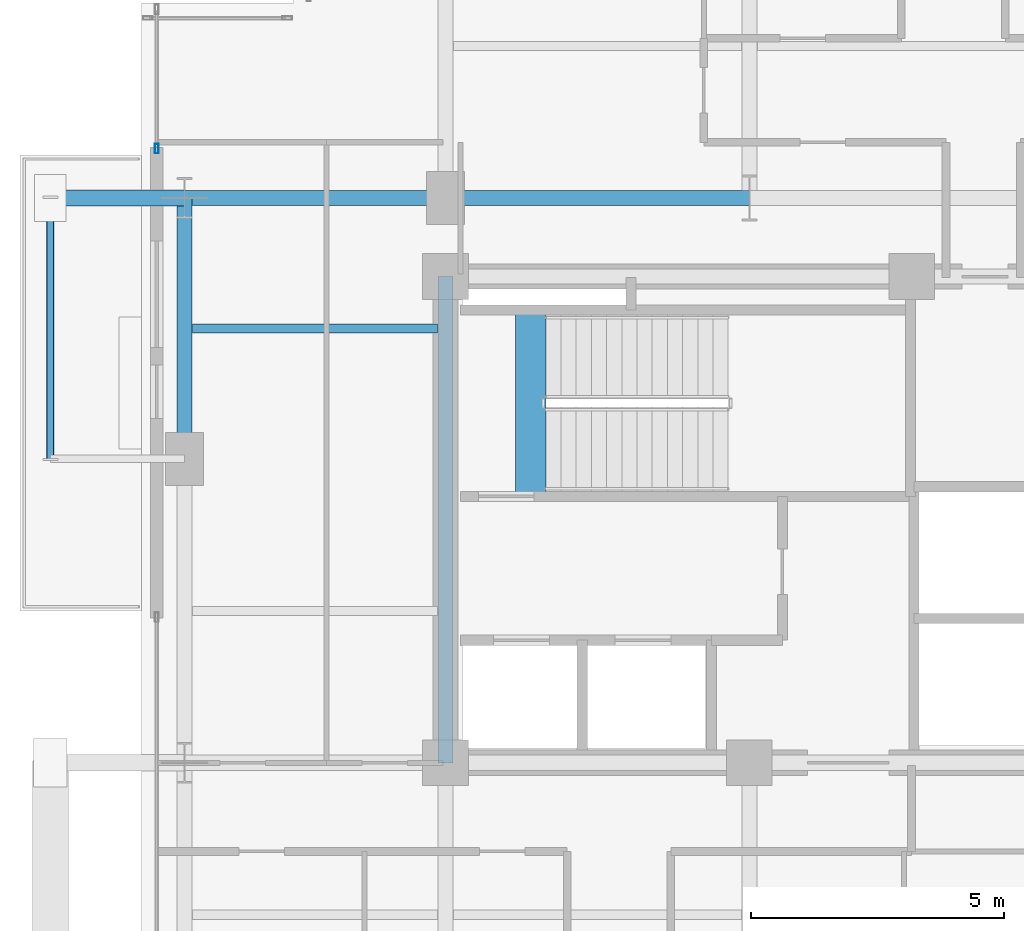
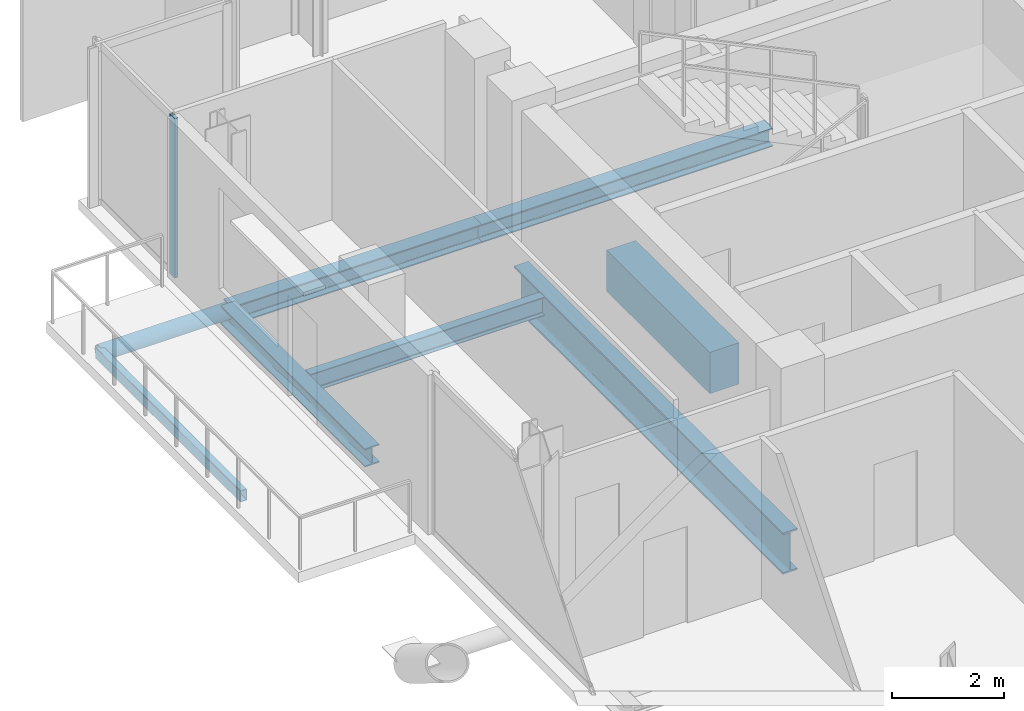
# One storey, part 8 of 26: 7 beams, 2 members, 1 element without a shape of its own.
"""IFC4 building model written with IfcOpenShell, lengths in metres."""

from ifc_helpers import new_model, si_unit, direction, frame, origin, origin_2d, place, context, subcontext, project, spatial, rectangle, hollow_rectangle, hollow_circle, i_section, extrude, material, layer, layer_set, material_profile, profile_set, type_object, element, aggregate, save


model = new_model("IFC4")

# Units and contexts
model_context = context("Model", 3, precision=1e-05, world=origin(), true_north=direction((0.0, 1.0)))
body_context = subcontext(model_context, "Body", "Model", "MODEL_VIEW")
ifc_project = project(units=[si_unit("LENGTHUNIT", "METRE"), si_unit("AREAUNIT", "SQUARE_METRE"), si_unit("VOLUMEUNIT", "CUBIC_METRE"), si_unit("PLANEANGLEUNIT", "RADIAN"), si_unit("MASSUNIT", "GRAM", prefix="KILO"), si_unit("THERMODYNAMICTEMPERATUREUNIT", "KELVIN"), si_unit("POWERUNIT", "WATT")], contexts=[model_context])

# Site, building, storey
site_placement = place(None, origin())
site = spatial("IfcSite", under=ifc_project, at=site_placement, CompositionType="ELEMENT")
building_placement = place(site_placement, origin())
building = spatial("IfcBuilding", under=site, at=building_placement, Name="Svarakhadi Broadcast Tower", CompositionType="ELEMENT")
storey_placement = place(building_placement, frame((0.0, 0.0, 195.449951171875)))
storey = spatial("IfcBuildingStorey", under=building, at=storey_placement, Name="L48", CompositionType="ELEMENT", Elevation=195.449951171875)

# Beam
ifc_material_1 = material(Name="Steel S355J2 (IS 2062 E350C)", Category="steel")
ifc_material_profile_1 = material_profile(ifc_material_1, i_section(OverallWidth=0.179931640625, OverallDepth=0.39990234375, WebThickness=0.008544921875, FlangeThickness=0.013427734375, FilletRadius=0.02099609375, at=origin_2d()), Name="NPB 400x180x66")
ifc_profile_set_1 = profile_set([ifc_material_profile_1], Name="Steel S355J2 (IS 2062 E350C)")
beam_type_1 = type_object("IfcBeamType", Name="Beam_NPB400", PredefinedType="BEAM", material=ifc_profile_set_1)
beam_1_placement = place(storey_placement, frame((1.010009765625, 26.574951171875, -0.409912109375), z_axis=(1.0, 0.0, 0.0), x_axis=(0.0, 1.0, 0.0)))
element("IfcBeam", 1, at=beam_1_placement, inside=storey, type_object=beam_type_1, Name="L48 Secondary Composite Beam SB004", PredefinedType="BEAM", context=body_context, shape_type="SweptSolid", body=[
    extrude(i_section(OverallWidth=0.179931640625, OverallDepth=0.39990234375, WebThickness=0.008544921875, FlangeThickness=0.013427734375, FilletRadius=0.02099609375, at=origin_2d()), origin(), (0.0, 0.0, 1.0), 4.830078125),
])

# Curtain wall, member
ifc_material_2 = material(Name="Anodised Bronze Aluminium AA 6063-T6", Category="aluminium")
ifc_layer = layer(ifc_material_2, 0.18994140625)
ifc_layer_set = layer_set([ifc_layer], Name="Anodised Bronze Aluminium AA 6063-T6")
curtain_wall_type = type_object("IfcCurtainWallType", Name="CW_Sys_04", PredefinedType="NOTDEFINED", material=ifc_layer_set)
curtain_wall_placement = place(storey_placement, origin())
curtain_wall = element("IfcCurtainWall", 2, at=curtain_wall_placement, inside=storey, type_object=curtain_wall_type, Name="L48 West Curtain Wall 03", PredefinedType="NOTDEFINED")
ifc_material_profile_2 = material_profile(ifc_material_2, hollow_rectangle(XDim=0.070068359375, YDim=0.18994140625, WallThickness=0.005615234375, at=origin_2d()), Name="ALU MULLION 190x70x6")
ifc_profile_set_2 = profile_set([ifc_material_profile_2], Name="Anodised Bronze Aluminium AA 6063-T6")
member_type_1 = type_object("IfcMemberType", Name="CW_Sys_04_Mul", PredefinedType="MULLION", material=ifc_profile_set_2)
member_1_placement = place(storey_placement, frame((0.300048828125, 30.125, 0.0), z_axis=(0.0, 0.0, 1.0), x_axis=(-1.0, 0.0, 0.0)))
member_1 = element("IfcMember", 3, at=member_1_placement, type_object=member_type_1, Name="CW-04 mullion 1", PredefinedType="MULLION", context=body_context, shape_type="SweptSolid", body=[
    extrude(hollow_rectangle(XDim=0.070068359375, YDim=0.18994140625, WallThickness=0.005615234375, at=origin_2d()), origin(), (0.0, 0.0, 1.0), 3.47509765625),
])
aggregate(curtain_wall, [member_1])

# Beam
ifc_material_3 = material(Name="Concrete C50/60 (IS 456 M60)", Category="concrete")
ifc_material_profile_3 = material_profile(ifc_material_3, rectangle(XDim=0.60009765625, YDim=0.89990234375, at=origin_2d()), Name="RC 600x900")
ifc_profile_set_3 = profile_set([ifc_material_profile_3], Name="Concrete C50/60 (IS 456 M60)")
beam_type_2 = type_object("IfcBeamType", Name="Coupling_RC600", PredefinedType="USERDEFINED", material=ifc_profile_set_3)
beam_2_placement = place(storey_placement, frame((7.679931640625, 23.260009765625, -0.449951171875), z_axis=(0.0, 1.0, 0.0), x_axis=(-1.0, 0.0, 0.0)))
element("IfcBeam", 4, at=beam_2_placement, inside=storey, type_object=beam_type_2, Name="L48 Stair ST-01 Landing Throat Trimmer Beam CB-01", ObjectType="GIRDER", PredefinedType="USERDEFINED", context=body_context, shape_type="SweptSolid", body=[
    extrude(rectangle(XDim=0.60009765625, YDim=0.89990234375, at=origin_2d()), origin(), (0.0, 0.0, 1.0), 3.679931640625),
])

# Member
ifc_material_4 = material(Name="Steel S460ML (IS 2062 E450BR)", Category="steel")
ifc_material_profile_4 = material_profile(ifc_material_4, hollow_circle(Radius=0.161865234375, WallThickness=0.01611328125, at=origin_2d()), Name="CHS 323.9x16")
ifc_profile_set_4 = profile_set([ifc_material_profile_4], Name="Steel S460ML (IS 2062 E450BR)")
member_type_2 = type_object("IfcMemberType", Name="Exo_Radial_Strut_Z2", PredefinedType="STRUT", material=ifc_profile_set_4)
member_2_placement = place(storey_placement, frame((-1.800048828125, 29.14990234375, -0.371826171875), z_axis=(1.0, 0.0, 0.0), x_axis=(0.0, 1.0, 0.0)))
element("IfcMember", 5, at=member_2_placement, inside=storey, type_object=member_type_2, Name="L48 Exoskeleton Radial Tie Strut W06", PredefinedType="STRUT", context=body_context, shape_type="SweptSolid", body=[
    extrude(hollow_circle(Radius=0.161865234375, WallThickness=0.01611328125, at=origin_2d()), origin(), (0.0, 0.0, 1.0), 2.650146484375),
])

# Beams
ifc_material_profile_5 = material_profile(ifc_material_1, i_section(OverallWidth=0.300048828125, OverallDepth=0.39990234375, WebThickness=0.013427734375, FlangeThickness=0.02392578125, FilletRadius=0.027099609375, at=origin_2d()), Name="WPB 400x300x155")
ifc_profile_set_5 = profile_set([ifc_material_profile_5], Name="Steel S355J2 (IS 2062 E350C)")
beam_type_3 = type_object("IfcBeamType", Name="Girder_WPB400", PredefinedType="USERDEFINED", material=ifc_profile_set_5)
beam_3_placement = place(storey_placement, frame((0.85009765625, 29.14990234375, -0.409912109375), z_axis=(1.0, 0.0, 0.0), x_axis=(0.0, 1.0, 0.0)))
element("IfcBeam", 6, at=beam_3_placement, inside=storey, type_object=beam_type_3, Name="L48 Primary E-W Girder G028", ObjectType="GIRDER", PredefinedType="USERDEFINED", context=body_context, shape_type="SweptSolid", body=[
    extrude(i_section(OverallWidth=0.300048828125, OverallDepth=0.39990234375, WebThickness=0.013427734375, FlangeThickness=0.02392578125, FilletRadius=0.027099609375, at=origin_2d()), origin(), (0.0, 0.0, 1.0), 5.14990234375),
])
beam_4_placement = place(storey_placement, frame((6.0, 29.14990234375, -0.409912109375), z_axis=(1.0, 0.0, 0.0), x_axis=(0.0, 1.0, 0.0)))
element("IfcBeam", 7, at=beam_4_placement, inside=storey, type_object=beam_type_3, Name="L48 Primary E-W Girder G029", ObjectType="GIRDER", PredefinedType="USERDEFINED", context=body_context, shape_type="SweptSolid", body=[
    extrude(i_section(OverallWidth=0.300048828125, OverallDepth=0.39990234375, WebThickness=0.013427734375, FlangeThickness=0.02392578125, FilletRadius=0.027099609375, at=origin_2d()), origin(), (0.0, 0.0, 1.0), 6.0),
])
beam_5_placement = place(storey_placement, frame((0.85009765625, 24.0, -0.409912109375), z_axis=(0.0, 1.0, 0.0), x_axis=(-1.0, 0.0, 0.0)))
element("IfcBeam", 8, at=beam_5_placement, inside=storey, type_object=beam_type_3, Name="L48 Primary N-S Girder G036", ObjectType="GIRDER", PredefinedType="USERDEFINED", context=body_context, shape_type="SweptSolid", body=[
    extrude(i_section(OverallWidth=0.300048828125, OverallDepth=0.39990234375, WebThickness=0.013427734375, FlangeThickness=0.02392578125, FilletRadius=0.027099609375, at=origin_2d()), origin(), (0.0, 0.0, 1.0), 5.14990234375),
])
ifc_material_profile_6 = material_profile(ifc_material_4, i_section(OverallWidth=0.300048828125, OverallDepth=0.89990234375, WebThickness=0.0185546875, FlangeThickness=0.034912109375, FilletRadius=0.030029296875, at=origin_2d()), Name="WPB 900x300x291")
ifc_profile_set_6 = profile_set([ifc_material_profile_6], Name="Steel S460ML (IS 2062 E450BR)")
beam_type_4 = type_object("IfcBeamType", Name="Girder_WPB900", PredefinedType="USERDEFINED", material=ifc_profile_set_6)
beam_6_placement = place(storey_placement, frame((6.0, 18.0, -0.659912109375), z_axis=(0.0, 1.0, 0.0), x_axis=(-1.0, 0.0, 0.0)))
element("IfcBeam", 9, at=beam_6_placement, inside=storey, type_object=beam_type_4, Name="L48 Primary N-S Girder G040", ObjectType="GIRDER", PredefinedType="USERDEFINED", context=body_context, shape_type="SweptSolid", body=[
    extrude(i_section(OverallWidth=0.300048828125, OverallDepth=0.89990234375, WebThickness=0.0185546875, FlangeThickness=0.034912109375, FilletRadius=0.030029296875, at=origin_2d()), origin(), (0.0, 0.0, 1.0), 9.60009765625),
])
ifc_material_profile_7 = material_profile(ifc_material_4, hollow_rectangle(XDim=0.14990234375, YDim=0.25, WallThickness=0.010009765625, InnerFilletRadius=0.010009765625, OuterFilletRadius=0.02001953125, at=origin_2d()), Name="RHS 250x150x10")
ifc_profile_set_7 = profile_set([ifc_material_profile_7], Name="Steel S460ML (IS 2062 E450BR)")
beam_type_5 = type_object("IfcBeamType", Name="Spandrel_RHS250", PredefinedType="SPANDREL", material=ifc_profile_set_7)
beam_7_placement = place(storey_placement, frame((-1.800048828125, 24.0, -0.349853515625), z_axis=(0.0, 1.0, 0.0), x_axis=(-1.0, 0.0, 0.0)))
element("IfcBeam", 10, at=beam_7_placement, inside=storey, type_object=beam_type_5, Name="L48 Balcony Outer Spandrel 2F", PredefinedType="SPANDREL", context=body_context, shape_type="SweptSolid", body=[
    extrude(hollow_rectangle(XDim=0.14990234375, YDim=0.25, WallThickness=0.010009765625, InnerFilletRadius=0.010009765625, OuterFilletRadius=0.02001953125, at=origin_2d()), origin(), (0.0, 0.0, 1.0), 5.14990234375),
])

save(model, "model.ifc")
